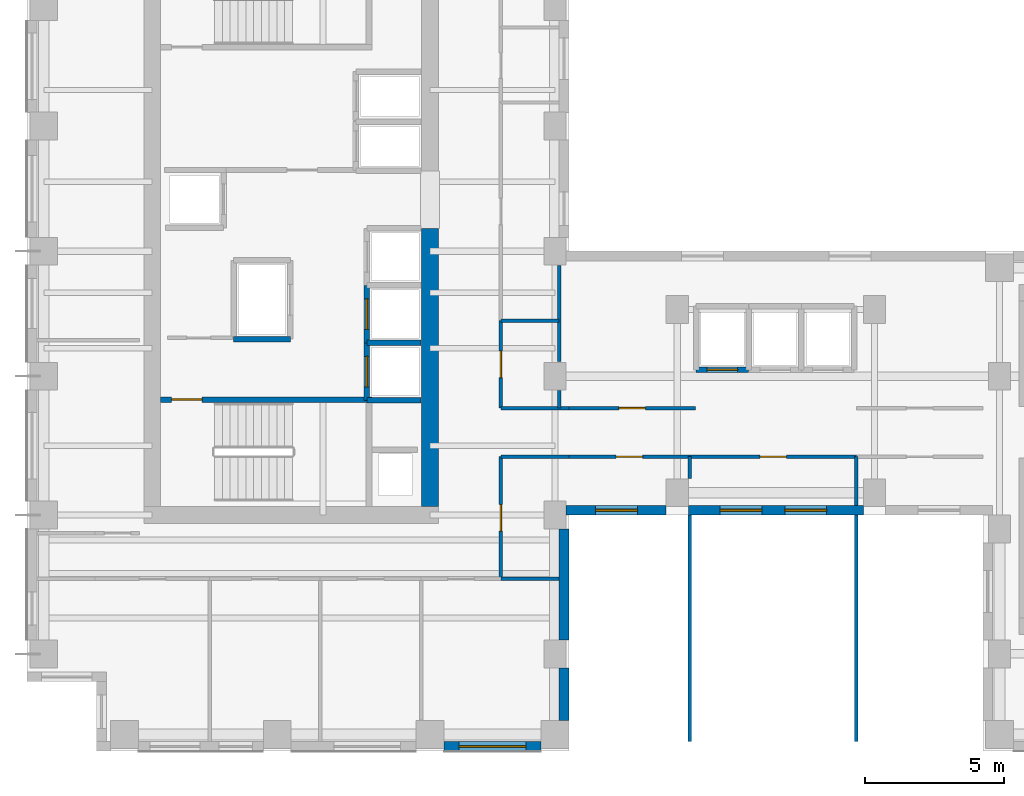
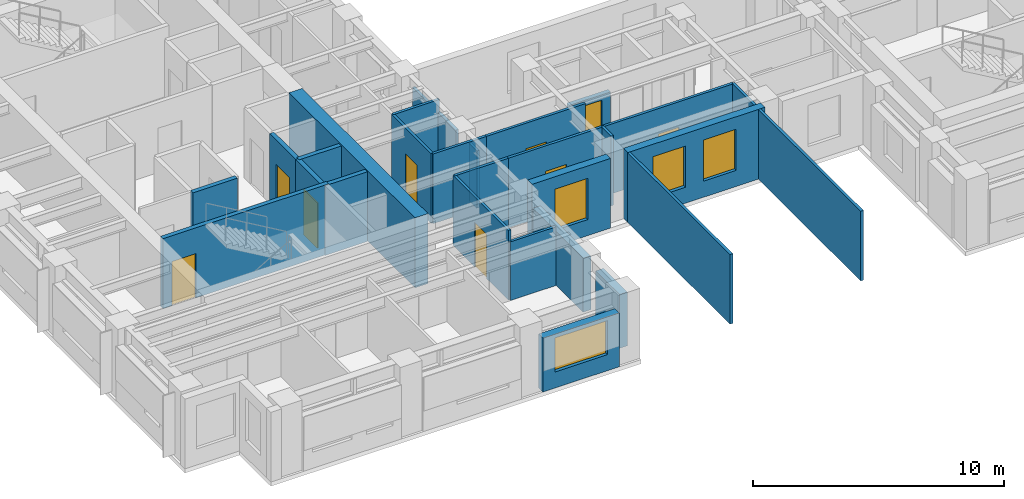
# One storey, part 4 of 11: 28 walls, 9 doors, 4 windows, 13 openings.
"""IFC4 building model written with IfcOpenShell, lengths in metres."""

from ifc_helpers import new_model, si_unit, direction, frame, frame_2d, origin, place, context, subcontext, project, spatial, rectangle, extrude, source, transform, mapped, material, layer, layer_set, type_object, element, fill, save


model = new_model("IFC4")

# Units and contexts
model_context = context("Model", 3, precision=1e-05, world=origin(), true_north=direction((0.0, 1.0)))
body_context = subcontext(model_context, "Body", "Model", "MODEL_VIEW")
ifc_project = project(units=[si_unit("LENGTHUNIT", "METRE"), si_unit("AREAUNIT", "SQUARE_METRE"), si_unit("VOLUMEUNIT", "CUBIC_METRE"), si_unit("PLANEANGLEUNIT", "RADIAN"), si_unit("MASSUNIT", "GRAM", prefix="KILO")], contexts=[model_context])

# Site, building, storey
site_placement = place(None, origin())
site = spatial("IfcSite", under=ifc_project, at=site_placement, CompositionType="ELEMENT")
building_placement = place(site_placement, origin())
building = spatial("IfcBuilding", under=site, at=building_placement, Name="Kharzan Plaza Tower", CompositionType="ELEMENT")
storey_placement = place(building_placement, frame((0.0, 0.0, 200.699951171875)))
storey = spatial("IfcBuildingStorey", under=building, at=storey_placement, Name="L54", CompositionType="ELEMENT", Elevation=200.699951171875)

# Wall, opening, window
ifc_material_1 = material(Name="Concrete C40/50", Category="concrete")
ifc_layer_1 = layer(ifc_material_1, 0.35009765625)
ifc_layer_set_1 = layer_set([ifc_layer_1], Name="Concrete C40/50")
wall_type_1 = type_object("IfcWallType", Name="WL-EXT-MAS-Z3", PredefinedType="SOLIDWALL", material=ifc_layer_set_1)
wall_1_placement = place(storey_placement, frame((14.998046875, 0.175048828125, 0.0), z_axis=(0.0, 0.0, 1.0), x_axis=(1.0, 0.0, 0.0)))
wall_1 = element("IfcWall", 1, at=wall_1_placement, inside=storey, type_object=wall_type_1, Name="L54 Masonry-Frame Exterior Wall 23", PredefinedType="SOLIDWALL", context=body_context, shape_type="SweptSolid", body=[
    extrude(rectangle(XDim=3.50390625, YDim=0.35009765625, at=frame_2d((1.751953125, 0.0))), origin(), (0.0, 0.0, 1.0), 2.612060546875),
])
opening_1_placement = place(wall_1_placement, frame((0.552001953125, 0.0, 0.780029296875)))
opening_1 = element("IfcOpeningElement", 2, at=opening_1_placement, cuts=wall_1, Name="Opening W2", PredefinedType="OPENING", context=body_context, shape_type="SweptSolid", body=[
    extrude(rectangle(XDim=2.39990234375, YDim=1.652099609375, at=frame_2d((1.199951171875, 0.826171875))), frame((0.0, 0.18505859375, 0.0), z_axis=(0.0, -1.0, 0.0), x_axis=(1.0, 0.0, 0.0)), (0.0, 0.0, 1.0), 0.3701171875),
])
ifc_material_2 = material(Name="Low-E Double Glazing", Category="glass")
window_type_1 = type_object("IfcWindowType", Name="WN-REC-2400x2100", PartitioningType="SINGLE_PANEL", PredefinedType="WINDOW", material=ifc_material_2)
shared_shape_1 = source(origin(), body_context, "Body", "SweptSolid", [
    extrude(rectangle(XDim=2.39990234375, YDim=1.652099609375, at=frame_2d((1.199951171875, 0.826171875))), frame((0.0, 0.030029296875, 0.0), z_axis=(0.0, -1.0, 0.0), x_axis=(1.0, 0.0, 0.0)), (0.0, 0.0, 1.0), 0.06005859375),
])
window_1_placement = place(opening_1_placement, origin())
window_1 = element("IfcWindow", 3, at=window_1_placement, inside=storey, type_object=window_type_1, Name="L54 Wide Recessed Solar-Control Window 23-1", OverallHeight=1.652099609375, OverallWidth=2.39990234375, PartitioningType="SINGLE_PANEL", PredefinedType="WINDOW", context=body_context, shape_type="MappedRepresentation", body=[
    mapped(shared_shape_1, transform((0.0, 0.0, 0.0), x_axis=(1.0, 0.0, 0.0), y_axis=(0.0, 1.0, 0.0), z_axis=(0.0, 0.0, 1.0))),
])
fill(opening_1, window_1)

wall_2_placement = place(storey_placement, frame((19.39794921875, 8.675048828125, 0.0), z_axis=(0.0, 0.0, 1.0), x_axis=(1.0, 0.0, 0.0)))
wall_2 = element("IfcWall", 4, at=wall_2_placement, inside=storey, type_object=wall_type_1, Name="L54 Masonry-Frame Exterior Wall 26", PredefinedType="SOLIDWALL", context=body_context, shape_type="SweptSolid", body=[
    extrude(rectangle(XDim=3.60400390625, YDim=0.35009765625, at=frame_2d((1.802001953125, 0.0))), origin(), (0.0, 0.0, 1.0), 3.385009765625),
])
opening_2_placement = place(wall_2_placement, frame((1.067138671875, 0.0, 0.780029296875)))
opening_2 = element("IfcOpeningElement", 5, at=opening_2_placement, cuts=wall_2, Name="Opening W5", PredefinedType="OPENING", context=body_context, shape_type="SweptSolid", body=[
    extrude(rectangle(XDim=1.5, YDim=2.0, at=frame_2d((0.75, 1.0))), frame((0.0, 0.18505859375, 0.0), z_axis=(0.0, -1.0, 0.0), x_axis=(1.0, 0.0, 0.0)), (0.0, 0.0, 1.0), 0.3701171875),
])
window_type_2 = type_object("IfcWindowType", Name="WN-SLT-1500x2000", PartitioningType="SINGLE_PANEL", PredefinedType="WINDOW", material=ifc_material_2)
shared_shape_2 = source(origin(), body_context, "Body", "SweptSolid", [
    extrude(rectangle(XDim=1.5, YDim=2.0, at=frame_2d((0.75, 1.0))), frame((0.0, 0.030029296875, 0.0), z_axis=(0.0, -1.0, 0.0), x_axis=(1.0, 0.0, 0.0)), (0.0, 0.0, 1.0), 0.06005859375),
])
window_2_placement = place(opening_2_placement, origin())
window_2 = element("IfcWindow", 6, at=window_2_placement, inside=storey, type_object=window_type_2, Name="L54 Recessed Solar-Control Window 26-1", OverallHeight=2.0, OverallWidth=1.5, PartitioningType="SINGLE_PANEL", PredefinedType="WINDOW", context=body_context, shape_type="MappedRepresentation", body=[
    mapped(shared_shape_2, transform((0.0, 0.0, 0.0), x_axis=(1.0, 0.0, 0.0), y_axis=(0.0, 1.0, 0.0), z_axis=(0.0, 0.0, 1.0))),
])
fill(opening_2, window_2)

# Wall, openings, windows
wall_3_placement = place(storey_placement, frame((23.798095703125, 8.675048828125, 0.0), z_axis=(0.0, 0.0, 1.0), x_axis=(1.0, 0.0, 0.0)))
wall_3 = element("IfcWall", 7, at=wall_3_placement, inside=storey, type_object=wall_type_1, Name="L54 Masonry-Frame Exterior Wall 27", PredefinedType="SOLIDWALL", context=body_context, shape_type="SweptSolid", body=[
    extrude(rectangle(XDim=6.303955078125, YDim=0.35009765625, at=frame_2d((3.15185546875, 0.0))), origin(), (0.0, 0.0, 1.0), 3.385009765625),
])
opening_3_placement = place(wall_3_placement, frame((1.147216796875, 0.0, 0.780029296875)))
opening_3 = element("IfcOpeningElement", 8, at=opening_3_placement, cuts=wall_3, Name="Opening W5", PredefinedType="OPENING", context=body_context, shape_type="SweptSolid", body=[
    extrude(rectangle(XDim=1.5, YDim=2.0, at=frame_2d((0.75, 1.0))), frame((0.0, 0.18505859375, 0.0), z_axis=(0.0, -1.0, 0.0), x_axis=(1.0, 0.0, 0.0)), (0.0, 0.0, 1.0), 0.3701171875),
])
opening_4_placement = place(wall_3_placement, frame((3.474609375, 0.0, 0.780029296875)))
opening_4 = element("IfcOpeningElement", 9, at=opening_4_placement, cuts=wall_3, Name="Opening W5", PredefinedType="OPENING", context=body_context, shape_type="SweptSolid", body=[
    extrude(rectangle(XDim=1.5, YDim=2.0, at=frame_2d((0.75, 1.0))), frame((0.0, 0.18505859375, 0.0), z_axis=(0.0, -1.0, 0.0), x_axis=(1.0, 0.0, 0.0)), (0.0, 0.0, 1.0), 0.3701171875),
])
window_3_placement = place(opening_3_placement, origin())
window_3 = element("IfcWindow", 10, at=window_3_placement, inside=storey, type_object=window_type_2, Name="L54 Recessed Solar-Control Window 27-1", OverallHeight=2.0, OverallWidth=1.5, PartitioningType="SINGLE_PANEL", PredefinedType="WINDOW", context=body_context, shape_type="MappedRepresentation", body=[
    mapped(shared_shape_2, transform((0.0, 0.0, 0.0), x_axis=(1.0, 0.0, 0.0), y_axis=(0.0, 1.0, 0.0), z_axis=(0.0, 0.0, 1.0))),
])
fill(opening_3, window_3)
window_4_placement = place(opening_4_placement, origin())
window_4 = element("IfcWindow", 11, at=window_4_placement, inside=storey, type_object=window_type_2, Name="L54 Recessed Solar-Control Window 27-2", OverallHeight=2.0, OverallWidth=1.5, PartitioningType="SINGLE_PANEL", PredefinedType="WINDOW", context=body_context, shape_type="MappedRepresentation", body=[
    mapped(shared_shape_2, transform((0.0, 0.0, 0.0), x_axis=(1.0, 0.0, 0.0), y_axis=(0.0, 1.0, 0.0), z_axis=(0.0, 0.0, 1.0))),
])
fill(opening_4, window_4)

# Wall, opening, door
ifc_material_3 = material(Name="Fire-Rated Gypsum Board Partition", Category="gypsum")
ifc_layer_2 = layer(ifc_material_3, 0.125)
ifc_layer_set_2 = layer_set([ifc_layer_2], Name="Fire-Rated Gypsum Board Partition")
wall_type_2 = type_object("IfcWallType", Name="WL-INT-PART-125", PredefinedType="PARTITIONING", material=ifc_layer_set_2)
wall_4_placement = place(storey_placement, frame((17.050048828125, 12.35009765625, 0.0), z_axis=(0.0, 0.0, 1.0), x_axis=(0.0, 1.0, 0.0)))
wall_4 = element("IfcWall", 12, at=wall_4_placement, inside=storey, type_object=wall_type_2, Name="L54 Interior Partition SH-AEWN1", PredefinedType="PARTITIONING", context=body_context, shape_type="SweptSolid", body=[
    extrude(rectangle(XDim=3.14990234375, YDim=0.125, at=frame_2d((1.574951171875, 0.0))), origin(), (0.0, 0.0, 1.0), 3.385009765625),
])
opening_5_placement = place(wall_4_placement, frame((1.10009765625, 0.0, 0.0)))
opening_5 = element("IfcOpeningElement", 13, at=opening_5_placement, cuts=wall_4, Name="Opening OD1", PredefinedType="OPENING", context=body_context, shape_type="SweptSolid", body=[
    extrude(rectangle(XDim=0.949951171875, YDim=2.14990234375, at=frame_2d((0.47509765625, 1.074951171875))), frame((0.0, 0.072509765625, 0.0), z_axis=(0.0, -1.0, 0.0), x_axis=(1.0, 0.0, 0.0)), (0.0, 0.0, 1.0), 0.14501953125),
])
ifc_material_4 = material(Name="Acoustic Solid-Core Stained Oak", Category="timber")
door_type_1 = type_object("IfcDoorType", Name="DR-OFF-SINGLE", OperationType="NOTDEFINED", PredefinedType="DOOR", material=ifc_material_4)
shared_shape_3 = source(origin(), body_context, "Body", "SweptSolid", [
    extrude(rectangle(XDim=0.949951171875, YDim=2.14990234375, at=frame_2d((0.47509765625, 1.074951171875))), frame((0.0, 0.02490234375, 0.0), z_axis=(0.0, -1.0, 0.0), x_axis=(1.0, 0.0, 0.0)), (0.0, 0.0, 1.0), 0.050048828125),
])
door_1_placement = place(opening_5_placement, origin())
door_1 = element("IfcDoor", 14, at=door_1_placement, inside=storey, type_object=door_type_1, Name="L54 Slot Collaboration Door", OperationType="SINGLE_SWING_LEFT", OverallHeight=2.14990234375, OverallWidth=0.949951171875, PredefinedType="DOOR", context=body_context, shape_type="MappedRepresentation", body=[
    mapped(shared_shape_3, transform((0.0, 0.0, 0.0), x_axis=(1.0, 0.0, 0.0), y_axis=(0.0, 1.0, 0.0), z_axis=(0.0, 0.0, 1.0))),
])
fill(opening_5, door_1)

wall_5_placement = place(storey_placement, frame((17.050048828125, 6.199951171875, 0.0), z_axis=(0.0, 0.0, 1.0), x_axis=(0.0, 1.0, 0.0)))
wall_5 = element("IfcWall", 15, at=wall_5_placement, inside=storey, type_object=wall_type_2, Name="L54 Interior Partition SH-AEWS", PredefinedType="PARTITIONING", context=body_context, shape_type="SweptSolid", body=[
    extrude(rectangle(XDim=4.400146484375, YDim=0.125, at=frame_2d((2.2001953125, 0.0))), origin(), (0.0, 0.0, 1.0), 3.385009765625),
])
opening_6_placement = place(wall_5_placement, frame((1.72509765625, 0.0, 0.0)))
opening_6 = element("IfcOpeningElement", 16, at=opening_6_placement, cuts=wall_5, Name="Opening OD1", PredefinedType="OPENING", context=body_context, shape_type="SweptSolid", body=[
    extrude(rectangle(XDim=0.949951171875, YDim=2.14990234375, at=frame_2d((0.47509765625, 1.074951171875))), frame((0.0, 0.072509765625, 0.0), z_axis=(0.0, -1.0, 0.0), x_axis=(1.0, 0.0, 0.0)), (0.0, 0.0, 1.0), 0.14501953125),
])
door_2_placement = place(opening_6_placement, origin())
door_2 = element("IfcDoor", 17, at=door_2_placement, inside=storey, type_object=door_type_1, Name="L54 Slot South Office Door", OperationType="SINGLE_SWING_RIGHT", OverallHeight=2.14990234375, OverallWidth=0.949951171875, PredefinedType="DOOR", context=body_context, shape_type="MappedRepresentation", body=[
    mapped(shared_shape_3, transform((0.0, 0.0, 0.0), x_axis=(1.0, 0.0, 0.0), y_axis=(0.0, 1.0, 0.0), z_axis=(0.0, 0.0, 1.0))),
])
fill(opening_6, door_2)

wall_6_placement = place(storey_placement, frame((19.5, 12.35009765625, 0.0), z_axis=(0.0, 0.0, 1.0), x_axis=(1.0, 0.0, 0.0)))
wall_6 = element("IfcWall", 18, at=wall_6_placement, inside=storey, type_object=wall_type_2, Name="L54 Interior Partition SH-SPNW1", PredefinedType="PARTITIONING", context=body_context, shape_type="SweptSolid", body=[
    extrude(rectangle(XDim=4.550048828125, YDim=0.125, at=frame_2d((2.27490234375, 0.0))), origin(), (0.0, 0.0, 1.0), 3.385009765625),
])
opening_7_placement = place(wall_6_placement, frame((1.800048828125, 0.0, 0.0)))
opening_7 = element("IfcOpeningElement", 19, at=opening_7_placement, cuts=wall_6, Name="Opening OD1", PredefinedType="OPENING", context=body_context, shape_type="SweptSolid", body=[
    extrude(rectangle(XDim=0.949951171875, YDim=2.14990234375, at=frame_2d((0.47509765625, 1.074951171875))), frame((0.0, 0.072509765625, 0.0), z_axis=(0.0, -1.0, 0.0), x_axis=(1.0, 0.0, 0.0)), (0.0, 0.0, 1.0), 0.14501953125),
])
door_3_placement = place(opening_7_placement, origin())
door_3 = element("IfcDoor", 20, at=door_3_placement, inside=storey, type_object=door_type_1, Name="L54 North-West Spine Door", OperationType="SINGLE_SWING_RIGHT", OverallHeight=2.14990234375, OverallWidth=0.949951171875, PredefinedType="DOOR", context=body_context, shape_type="MappedRepresentation", body=[
    mapped(shared_shape_3, transform((0.0, 0.0, 0.0), x_axis=(1.0, 0.0, 0.0), y_axis=(0.0, 1.0, 0.0), z_axis=(0.0, 0.0, 1.0))),
])
fill(opening_7, door_3)

wall_7_placement = place(storey_placement, frame((19.5, 10.60009765625, 0.0), z_axis=(0.0, 0.0, 1.0), x_axis=(1.0, 0.0, 0.0)))
wall_7 = element("IfcWall", 21, at=wall_7_placement, inside=storey, type_object=wall_type_2, Name="L54 Interior Partition SH-SPS1", PredefinedType="PARTITIONING", context=body_context, shape_type="SweptSolid", body=[
    extrude(rectangle(XDim=4.35009765625, YDim=0.125, at=frame_2d((2.175048828125, 0.0))), origin(), (0.0, 0.0, 1.0), 3.385009765625),
])
opening_8_placement = place(wall_7_placement, frame((1.699951171875, 0.0, 0.0)))
opening_8 = element("IfcOpeningElement", 22, at=opening_8_placement, cuts=wall_7, Name="Opening OD1", PredefinedType="OPENING", context=body_context, shape_type="SweptSolid", body=[
    extrude(rectangle(XDim=0.949951171875, YDim=2.14990234375, at=frame_2d((0.47509765625, 1.074951171875))), frame((0.0, 0.072509765625, 0.0), z_axis=(0.0, -1.0, 0.0), x_axis=(1.0, 0.0, 0.0)), (0.0, 0.0, 1.0), 0.14501953125),
])
door_4_placement = place(opening_8_placement, origin())
door_4 = element("IfcDoor", 23, at=door_4_placement, inside=storey, type_object=door_type_1, Name="L54 Spine Studio 1 Door", OperationType="SINGLE_SWING_LEFT", OverallHeight=2.14990234375, OverallWidth=0.949951171875, PredefinedType="DOOR", context=body_context, shape_type="MappedRepresentation", body=[
    mapped(shared_shape_3, transform((0.0, 0.0, 0.0), x_axis=(1.0, 0.0, 0.0), y_axis=(0.0, 1.0, 0.0), z_axis=(0.0, 0.0, 1.0))),
])
fill(opening_8, door_4)

wall_8_placement = place(storey_placement, frame((23.85009765625, 10.60009765625, 0.0), z_axis=(0.0, 0.0, 1.0), x_axis=(1.0, 0.0, 0.0)))
wall_8 = element("IfcWall", 24, at=wall_8_placement, inside=storey, type_object=wall_type_2, Name="L54 Interior Partition SH-SPS2", PredefinedType="PARTITIONING", context=body_context, shape_type="SweptSolid", body=[
    extrude(rectangle(XDim=6.0, YDim=0.125, at=frame_2d((3.0, 0.0))), origin(), (0.0, 0.0, 1.0), 3.385009765625),
])
opening_9_placement = place(wall_8_placement, frame((2.52490234375, 0.0, 0.0)))
opening_9 = element("IfcOpeningElement", 25, at=opening_9_placement, cuts=wall_8, Name="Opening OD1", PredefinedType="OPENING", context=body_context, shape_type="SweptSolid", body=[
    extrude(rectangle(XDim=0.949951171875, YDim=2.14990234375, at=frame_2d((0.47509765625, 1.074951171875))), frame((0.0, 0.072509765625, 0.0), z_axis=(0.0, -1.0, 0.0), x_axis=(1.0, 0.0, 0.0)), (0.0, 0.0, 1.0), 0.14501953125),
])
door_5_placement = place(opening_9_placement, origin())
door_5 = element("IfcDoor", 26, at=door_5_placement, inside=storey, type_object=door_type_1, Name="L54 Spine Studio 2 Door", OperationType="SINGLE_SWING_RIGHT", OverallHeight=2.14990234375, OverallWidth=0.949951171875, PredefinedType="DOOR", context=body_context, shape_type="MappedRepresentation", body=[
    mapped(shared_shape_3, transform((0.0, 0.0, 0.0), x_axis=(1.0, 0.0, 0.0), y_axis=(0.0, 1.0, 0.0), z_axis=(0.0, 0.0, 1.0))),
])
fill(opening_9, door_5)

ifc_layer_3 = layer(ifc_material_1, 0.199951171875)
ifc_layer_set_3 = layer_set([ifc_layer_3], Name="Concrete C40/50")
wall_type_3 = type_object("IfcWallType", Name="WL-INT-SHAFT-200", PredefinedType="PARTITIONING", material=ifc_layer_set_3)
wall_9_placement = place(storey_placement, frame((12.22998046875, 12.6298828125, 0.0), z_axis=(0.0, 0.0, 1.0), x_axis=(0.0, 1.0, 0.0)))
wall_9 = element("IfcWall", 27, at=wall_9_placement, inside=storey, type_object=wall_type_3, Name="L54 Interior Partition SHF-PL-H1-W", PredefinedType="PARTITIONING", context=body_context, shape_type="SweptSolid", body=[
    extrude(rectangle(XDim=2.070068359375, YDim=0.199951171875, at=frame_2d((1.03515625, 0.0))), origin(), (0.0, 0.0, 1.0), 3.385009765625),
])
opening_10_placement = place(wall_9_placement, frame((0.485107421875, 0.0, 0.0)))
opening_10 = element("IfcOpeningElement", 28, at=opening_10_placement, cuts=wall_9, Name="Opening LD", PredefinedType="OPENING", context=body_context, shape_type="SweptSolid", body=[
    extrude(rectangle(XDim=1.10009765625, YDim=2.199951171875, at=frame_2d((0.550048828125, 1.10009765625))), frame((0.0, 0.10986328125, 0.0), z_axis=(0.0, -1.0, 0.0), x_axis=(1.0, 0.0, 0.0)), (0.0, 0.0, 1.0), 0.219970703125),
])
ifc_material_5 = material(Name="Brushed Stainless Steel", Category="steel")
door_type_2 = type_object("IfcDoorType", Name="DR-LIFT-SLIDE", OperationType="SLIDING_TO_LEFT", PredefinedType="DOOR", material=ifc_material_5)
shared_shape_4 = source(origin(), body_context, "Body", "SweptSolid", [
    extrude(rectangle(XDim=1.10009765625, YDim=2.199951171875, at=frame_2d((0.550048828125, 1.10009765625))), frame((0.0, 0.02490234375, 0.0), z_axis=(0.0, -1.0, 0.0), x_axis=(1.0, 0.0, 0.0)), (0.0, 0.0, 1.0), 0.050048828125),
])
door_6_placement = place(opening_10_placement, origin())
door_6 = element("IfcDoor", 29, at=door_6_placement, inside=storey, type_object=door_type_2, Name="L54 High-Rise Passenger Lift PL-H1 Sliding Landing Door", OperationType="SLIDING_TO_LEFT", OverallHeight=2.199951171875, OverallWidth=1.10009765625, PredefinedType="DOOR", context=body_context, shape_type="MappedRepresentation", body=[
    mapped(shared_shape_4, transform((0.0, 0.0, 0.0), x_axis=(1.0, 0.0, 0.0), y_axis=(0.0, 1.0, 0.0), z_axis=(0.0, 0.0, 1.0))),
])
fill(opening_10, door_6)

wall_10_placement = place(storey_placement, frame((12.22998046875, 14.699951171875, 0.0), z_axis=(0.0, 0.0, 1.0), x_axis=(0.0, 1.0, 0.0)))
wall_10 = element("IfcWall", 30, at=wall_10_placement, inside=storey, type_object=wall_type_3, Name="L54 Interior Partition SHF-PL-H2-W", PredefinedType="PARTITIONING", context=body_context, shape_type="SweptSolid", body=[
    extrude(rectangle(XDim=2.070068359375, YDim=0.199951171875, at=frame_2d((1.03515625, 0.0))), origin(), (0.0, 0.0, 1.0), 3.385009765625),
])
opening_11_placement = place(wall_10_placement, frame((0.485107421875, 0.0, 0.0)))
opening_11 = element("IfcOpeningElement", 31, at=opening_11_placement, cuts=wall_10, Name="Opening LD", PredefinedType="OPENING", context=body_context, shape_type="SweptSolid", body=[
    extrude(rectangle(XDim=1.10009765625, YDim=2.199951171875, at=frame_2d((0.550048828125, 1.10009765625))), frame((0.0, 0.10986328125, 0.0), z_axis=(0.0, -1.0, 0.0), x_axis=(1.0, 0.0, 0.0)), (0.0, 0.0, 1.0), 0.219970703125),
])
door_7_placement = place(opening_11_placement, origin())
door_7 = element("IfcDoor", 32, at=door_7_placement, inside=storey, type_object=door_type_2, Name="L54 High-Rise Passenger Lift PL-H2 Sliding Landing Door", OperationType="SLIDING_TO_LEFT", OverallHeight=2.199951171875, OverallWidth=1.10009765625, PredefinedType="DOOR", context=body_context, shape_type="MappedRepresentation", body=[
    mapped(shared_shape_4, transform((0.0, 0.0, 0.0), x_axis=(1.0, 0.0, 0.0), y_axis=(0.0, 1.0, 0.0), z_axis=(0.0, 0.0, 1.0))),
])
fill(opening_11, door_7)

wall_11_placement = place(storey_placement, frame((24.080078125, 13.72998046875, 0.0), z_axis=(0.0, 0.0, 1.0), x_axis=(1.0, 0.0, 0.0)))
wall_11 = element("IfcWall", 33, at=wall_11_placement, inside=storey, type_object=wall_type_3, Name="L54 Interior Partition SHF-PL-M1-S", PredefinedType="PARTITIONING", context=body_context, shape_type="SweptSolid", body=[
    extrude(rectangle(XDim=1.889892578125, YDim=0.199951171875, at=frame_2d((0.94482421875, 0.0))), origin(), (0.0, 0.0, 1.0), 2.466064453125),
])
opening_12_placement = place(wall_11_placement, frame((0.39501953125, 0.0, 0.0)))
opening_12 = element("IfcOpeningElement", 34, at=opening_12_placement, cuts=wall_11, Name="Opening LD", PredefinedType="OPENING", context=body_context, shape_type="SweptSolid", body=[
    extrude(rectangle(XDim=1.10009765625, YDim=2.199951171875, at=frame_2d((0.550048828125, 1.10009765625))), frame((0.0, 0.10986328125, 0.0), z_axis=(0.0, -1.0, 0.0), x_axis=(1.0, 0.0, 0.0)), (0.0, 0.0, 1.0), 0.219970703125),
])
door_8_placement = place(opening_12_placement, origin())
door_8 = element("IfcDoor", 35, at=door_8_placement, inside=storey, type_object=door_type_2, Name="L54 Mid-Rise Passenger Lift PL-M1 Sliding Landing Door", OperationType="SLIDING_TO_LEFT", OverallHeight=2.199951171875, OverallWidth=1.10009765625, PredefinedType="DOOR", context=body_context, shape_type="MappedRepresentation", body=[
    mapped(shared_shape_4, transform((0.0, 0.0, 0.0), x_axis=(1.0, 0.0, 0.0), y_axis=(0.0, 1.0, 0.0), z_axis=(0.0, 0.0, 1.0))),
])
fill(opening_12, door_8)

ifc_material_6 = material(Name="Concrete C50/60", Category="concrete")
ifc_layer_4 = layer(ifc_material_6, 0.199951171875)
ifc_layer_set_4 = layer_set([ifc_layer_4], Name="Concrete C50/60")
wall_type_4 = type_object("IfcWallType", Name="WL-SHAFT-RC200", PredefinedType="SHEAR", material=ifc_layer_set_4)
wall_12_placement = place(storey_placement, frame((4.802001953125, 12.655029296875, 0.0), z_axis=(0.0, 0.0, 1.0), x_axis=(1.0, 0.0, 0.0)))
wall_12 = element("IfcWall", 36, at=wall_12_placement, inside=storey, type_object=wall_type_4, Name="L54 Stair ST-1 North RC Shaft Wall", PredefinedType="SHEAR", context=body_context, shape_type="SweptSolid", body=[
    extrude(rectangle(XDim=7.60302734375, YDim=0.199951171875, at=frame_2d((3.801513671875, 0.0))), origin(), (0.0, 0.0, 1.0), 3.400146484375),
])
opening_13_placement = place(wall_12_placement, frame((0.39990234375, 0.0, 0.0)))
opening_13 = element("IfcOpeningElement", 37, at=opening_13_placement, cuts=wall_12, Name="Opening SD1", PredefinedType="OPENING", context=body_context, shape_type="SweptSolid", body=[
    extrude(rectangle(XDim=1.10009765625, YDim=2.14990234375, at=frame_2d((0.550048828125, 1.074951171875))), frame((0.0, 0.10986328125, 0.0), z_axis=(0.0, -1.0, 0.0), x_axis=(1.0, 0.0, 0.0)), (0.0, 0.0, 1.0), 0.219970703125),
])
ifc_material_7 = material(Name="Fire-Rated Hollow Galvanized Steel", Category="steel")
door_type_3 = type_object("IfcDoorType", Name="DR-STAIR-FD120", OperationType="NOTDEFINED", PredefinedType="DOOR", material=ifc_material_7)
shared_shape_5 = source(origin(), body_context, "Body", "SweptSolid", [
    extrude(rectangle(XDim=1.10009765625, YDim=2.14990234375, at=frame_2d((0.550048828125, 1.074951171875))), frame((0.0, 0.02490234375, 0.0), z_axis=(0.0, -1.0, 0.0), x_axis=(1.0, 0.0, 0.0)), (0.0, 0.0, 1.0), 0.050048828125),
])
door_9_placement = place(opening_13_placement, origin())
door_9 = element("IfcDoor", 38, at=door_9_placement, inside=storey, type_object=door_type_3, Name="L54 Stair ST-1 Fire Exit Door", OperationType="SINGLE_SWING_LEFT", OverallHeight=2.14990234375, OverallWidth=1.10009765625, PredefinedType="DOOR", context=body_context, shape_type="MappedRepresentation", body=[
    mapped(shared_shape_5, transform((0.0, 0.0, 0.0), x_axis=(1.0, 0.0, 0.0), y_axis=(0.0, 1.0, 0.0), z_axis=(0.0, 0.0, 1.0))),
])
fill(opening_13, door_9)

# Walls
shared_shape_6 = source(origin(), body_context, "Body", "SweptSolid", [
    extrude(rectangle(XDim=2.099853515625, YDim=0.125, at=frame_2d((1.0498046875, 0.0))), origin(), (0.0, 0.0, 1.0), 3.385009765625),
])
wall_13_placement = place(storey_placement, frame((17.050048828125, 15.5, 0.0), z_axis=(0.0, 0.0, 1.0), x_axis=(1.0, 0.0, 0.0)))
element("IfcWall", 39, at=wall_13_placement, inside=storey, type_object=wall_type_2, Name="L54 Interior Partition SH-AEH-155", PredefinedType="PARTITIONING", context=body_context, shape_type="MappedRepresentation", body=[
    mapped(shared_shape_6, transform((0.0, 0.0, 0.0), x_axis=(1.0, 0.0, 0.0), y_axis=(0.0, 1.0, 0.0), z_axis=(0.0, 0.0, 1.0))),
])
shared_shape_7 = source(origin(), body_context, "Body", "SweptSolid", [
    extrude(rectangle(XDim=0.6298828125, YDim=0.125, at=frame_2d((0.31494140625, 0.0))), origin(), (0.0, 0.0, 1.0), 2.77294921875),
])
wall_14_placement = place(storey_placement, frame((19.14990234375, 12.35009765625, 0.0), z_axis=(0.0, 0.0, 1.0), x_axis=(0.0, 1.0, 0.0)))
element("IfcWall", 40, at=wall_14_placement, inside=storey, type_object=wall_type_2, Name="L54 Interior Partition SH-AEN-DIV-S1", PredefinedType="PARTITIONING", context=body_context, shape_type="MappedRepresentation", body=[
    mapped(shared_shape_7, transform((0.0, 0.0, 0.0), x_axis=(1.0, 0.0, 0.0), y_axis=(0.0, 1.0, 0.0), z_axis=(0.0, 0.0, 1.0))),
])
shared_shape_8 = source(origin(), body_context, "Body", "SweptSolid", [
    extrude(rectangle(XDim=3.4599609375, YDim=0.125, at=frame_2d((1.72998046875, 0.0))), origin(), (0.0, 0.0, 1.0), 2.77294921875),
])
wall_15_placement = place(storey_placement, frame((19.14990234375, 14.02001953125, 0.0), z_axis=(0.0, 0.0, 1.0), x_axis=(0.0, 1.0, 0.0)))
element("IfcWall", 41, at=wall_15_placement, inside=storey, type_object=wall_type_2, Name="L54 Interior Partition SH-AEN-DIV-S2", PredefinedType="PARTITIONING", context=body_context, shape_type="MappedRepresentation", body=[
    mapped(shared_shape_8, transform((0.0, 0.0, 0.0), x_axis=(1.0, 0.0, 0.0), y_axis=(0.0, 1.0, 0.0), z_axis=(0.0, 0.0, 1.0))),
])
shared_shape_9 = source(origin(), body_context, "Body", "SweptSolid", [
    extrude(rectangle(XDim=2.449951171875, YDim=0.125, at=frame_2d((1.22509765625, 0.0))), origin(), (0.0, 0.0, 1.0), 3.385009765625),
])
for number, where, z_axis, x_axis, name in (
    (42, (17.050048828125, 12.35009765625, 0.0), (0.0, 0.0, 1.0), (1.0, 0.0, 0.0), "L54 Interior Partition SH-SPNW0"),
    (43, (17.050048828125, 10.60009765625, 0.0), (0.0, 0.0, 1.0), (1.0, 0.0, 0.0), "L54 Interior Partition SH-SPS0"),
):
    element("IfcWall", number, at=place(storey_placement, frame(where, z_axis=z_axis, x_axis=x_axis)), inside=storey, type_object=wall_type_2, Name=name, PredefinedType="PARTITIONING", context=body_context, shape_type="MappedRepresentation", body=[
        mapped(shared_shape_9, transform((0.0, 0.0, 0.0), x_axis=(1.0, 0.0, 0.0), y_axis=(0.0, 1.0, 0.0), z_axis=(0.0, 0.0, 1.0))),
    ])
shared_shape_10 = source(origin(), body_context, "Body", "SweptSolid", [
    extrude(rectangle(XDim=1.93994140625, YDim=0.199951171875, at=frame_2d((0.969970703125, 0.0))), origin(), (0.0, 0.0, 1.0), 3.385009765625),
])
for number, where, z_axis, x_axis, name in (
    (44, (12.22998046875, 14.699951171875, 0.0), (0.0, 0.0, 1.0), (1.0, 0.0, 0.0), "L54 Interior Partition SHF-PL-H1-N"),
    (45, (12.22998046875, 12.6298828125, 0.0), (0.0, 0.0, 1.0), (1.0, 0.0, 0.0), "L54 Interior Partition SHF-PL-H1-S"),
):
    element("IfcWall", number, at=place(storey_placement, frame(where, z_axis=z_axis, x_axis=x_axis)), inside=storey, type_object=wall_type_3, Name=name, PredefinedType="PARTITIONING", context=body_context, shape_type="MappedRepresentation", body=[
        mapped(shared_shape_10, transform((0.0, 0.0, 0.0), x_axis=(1.0, 0.0, 0.0), y_axis=(0.0, 1.0, 0.0), z_axis=(0.0, 0.0, 1.0))),
    ])
shared_shape_11 = source(origin(), body_context, "Body", "SweptSolid", [
    extrude(rectangle(XDim=2.0400390625, YDim=0.199951171875, at=frame_2d((1.02001953125, 0.0))), origin(), (0.0, 0.0, 1.0), 3.385009765625),
])
wall_16_placement = place(storey_placement, frame((7.429931640625, 14.830078125, 0.0), z_axis=(0.0, 0.0, 1.0), x_axis=(1.0, 0.0, 0.0)))
element("IfcWall", 46, at=wall_16_placement, inside=storey, type_object=wall_type_3, Name="L54 Interior Partition SHF-SVL-1-S", PredefinedType="PARTITIONING", context=body_context, shape_type="MappedRepresentation", body=[
    mapped(shared_shape_11, transform((0.0, 0.0, 0.0), x_axis=(1.0, 0.0, 0.0), y_axis=(0.0, 1.0, 0.0), z_axis=(0.0, 0.0, 1.0))),
])
ifc_layer_5 = layer(ifc_material_6, 0.60009765625)
ifc_layer_set_5 = layer_set([ifc_layer_5], Name="Concrete C50/60")
wall_type_5 = type_object("IfcWallType", Name="WL-CORE-600", PredefinedType="SHEAR", material=ifc_layer_set_5)
shared_shape_12 = source(origin(), body_context, "Body", "SweptSolid", [
    extrude(rectangle(XDim=10.02001953125, YDim=0.60009765625, at=frame_2d((5.010009765625, 0.0))), origin(), (0.0, 0.0, 1.0), 3.400146484375),
])
wall_17_placement = place(storey_placement, frame((14.5, 8.800048828125, 0.0), z_axis=(0.0, 0.0, 1.0), x_axis=(0.0, 1.0, 0.0)))
element("IfcWall", 47, at=wall_17_placement, inside=storey, type_object=wall_type_5, Name="L54 CORE-A east shear pier 1", PredefinedType="SHEAR", context=body_context, shape_type="MappedRepresentation", body=[
    mapped(shared_shape_12, transform((0.0, 0.0, 0.0), x_axis=(1.0, 0.0, 0.0), y_axis=(0.0, 1.0, 0.0), z_axis=(0.0, 0.0, 1.0))),
])
shared_shape_13 = source(origin(), body_context, "Body", "SweptSolid", [
    extrude(rectangle(XDim=1.904052734375, YDim=0.35009765625, at=frame_2d((0.9521484375, 0.0))), origin(), (0.0, 0.0, 1.0), 2.612060546875),
])
wall_18_placement = place(storey_placement, frame((19.324951171875, 1.097900390625, 0.0), z_axis=(0.0, 0.0, 1.0), x_axis=(0.0, 1.0, 0.0)))
element("IfcWall", 48, at=wall_18_placement, inside=storey, type_object=wall_type_1, Name="L54 Masonry-Frame Exterior Wall 24", PredefinedType="SOLIDWALL", context=body_context, shape_type="MappedRepresentation", body=[
    mapped(shared_shape_13, transform((0.0, 0.0, 0.0), x_axis=(1.0, 0.0, 0.0), y_axis=(0.0, 1.0, 0.0), z_axis=(0.0, 0.0, 1.0))),
])
shared_shape_14 = source(origin(), body_context, "Body", "SweptSolid", [
    extrude(rectangle(XDim=0.780029296875, YDim=0.125, at=frame_2d((0.39013671875, 0.0))), origin(), (0.0, 0.0, 1.0), 3.385009765625),
])
wall_19_placement = place(storey_placement, frame((23.85009765625, 9.820068359375, 0.0), z_axis=(0.0, 0.0, 1.0), x_axis=(0.0, 1.0, 0.0)))
element("IfcWall", 49, at=wall_19_placement, inside=storey, type_object=wall_type_2, Name="L54 Interior Partition SH-SPSV1-S2", PredefinedType="PARTITIONING", context=body_context, shape_type="MappedRepresentation", body=[
    mapped(shared_shape_14, transform((0.0, 0.0, 0.0), x_axis=(1.0, 0.0, 0.0), y_axis=(0.0, 1.0, 0.0), z_axis=(0.0, 0.0, 1.0))),
])
shared_shape_15 = source(origin(), body_context, "Body", "SweptSolid", [
    extrude(rectangle(XDim=4.00390625, YDim=0.35009765625, at=frame_2d((2.001953125, 0.0))), origin(), (0.0, 0.0, 1.0), 2.612060546875),
])
wall_20_placement = place(storey_placement, frame((19.324951171875, 3.998046875, 0.0), z_axis=(0.0, 0.0, 1.0), x_axis=(0.0, 1.0, 0.0)))
element("IfcWall", 50, at=wall_20_placement, inside=storey, type_object=wall_type_1, Name="L54 Masonry-Frame Exterior Wall 25", PredefinedType="SOLIDWALL", context=body_context, shape_type="MappedRepresentation", body=[
    mapped(shared_shape_15, transform((0.0, 0.0, 0.0), x_axis=(1.0, 0.0, 0.0), y_axis=(0.0, 1.0, 0.0), z_axis=(0.0, 0.0, 1.0))),
])
shared_shape_16 = source(origin(), body_context, "Body", "SweptSolid", [
    extrude(rectangle(XDim=2.097900390625, YDim=0.125, at=frame_2d((1.048828125, 0.0))), origin(), (0.0, 0.0, 1.0), 2.84814453125),
])
wall_21_placement = place(storey_placement, frame((17.050048828125, 6.199951171875, 0.0), z_axis=(0.0, 0.0, 1.0), x_axis=(1.0, 0.0, 0.0)))
element("IfcWall", 51, at=wall_21_placement, inside=storey, type_object=wall_type_2, Name="L54 Interior Partition SH-SSE-4", PredefinedType="PARTITIONING", context=body_context, shape_type="MappedRepresentation", body=[
    mapped(shared_shape_16, transform((0.0, 0.0, 0.0), x_axis=(1.0, 0.0, 0.0), y_axis=(0.0, 1.0, 0.0), z_axis=(0.0, 0.0, 1.0))),
])
shared_shape_17 = source(origin(), body_context, "Body", "SweptSolid", [
    extrude(rectangle(XDim=8.14794921875, YDim=0.125, at=frame_2d((4.073974609375, 0.0))), origin(), (0.0, 0.0, 1.0), 3.385009765625),
])
for number, where, z_axis, x_axis, name in (
    (52, (23.85009765625, 0.35009765625, 0.0), (0.0, 0.0, 1.0), (0.0, 1.0, 0.0), "L54 Interior Partition SH-SPSV1-S1"),
    (53, (29.85009765625, 0.35009765625, 0.0), (0.0, 0.0, 1.0), (0.0, 1.0, 0.0), "L54 Interior Partition SH-SPSV2-S1"),
):
    element("IfcWall", number, at=place(storey_placement, frame(where, z_axis=z_axis, x_axis=x_axis)), inside=storey, type_object=wall_type_2, Name=name, PredefinedType="PARTITIONING", context=body_context, shape_type="MappedRepresentation", body=[
        mapped(shared_shape_17, transform((0.0, 0.0, 0.0), x_axis=(1.0, 0.0, 0.0), y_axis=(0.0, 1.0, 0.0), z_axis=(0.0, 0.0, 1.0))),
    ])
shared_shape_18 = source(origin(), body_context, "Body", "SweptSolid", [
    extrude(rectangle(XDim=1.748046875, YDim=0.125, at=frame_2d((0.8740234375, 0.0))), origin(), (0.0, 0.0, 1.0), 3.385009765625),
])
wall_22_placement = place(storey_placement, frame((29.85009765625, 8.85205078125, 0.0), z_axis=(0.0, 0.0, 1.0), x_axis=(0.0, 1.0, 0.0)))
element("IfcWall", 54, at=wall_22_placement, inside=storey, type_object=wall_type_2, Name="L54 Interior Partition SH-SPSV2-S2", PredefinedType="PARTITIONING", context=body_context, shape_type="MappedRepresentation", body=[
    mapped(shared_shape_18, transform((0.0, 0.0, 0.0), x_axis=(1.0, 0.0, 0.0), y_axis=(0.0, 1.0, 0.0), z_axis=(0.0, 0.0, 1.0))),
])

save(model, "model.ifc")
